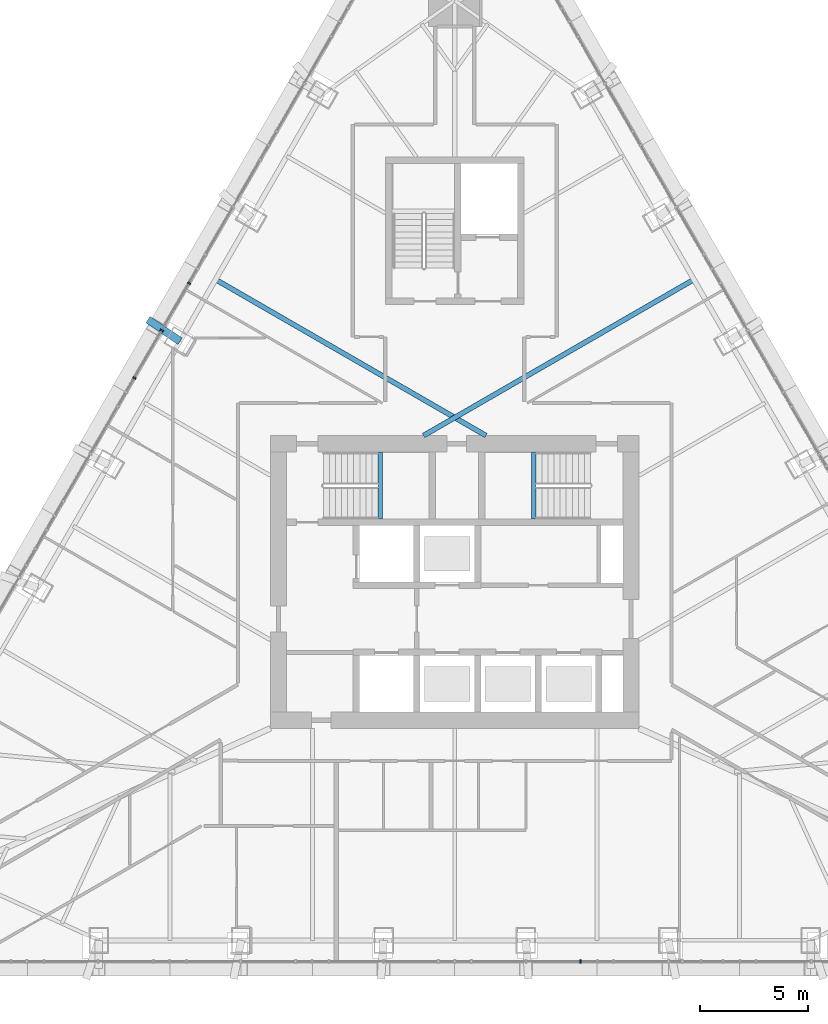
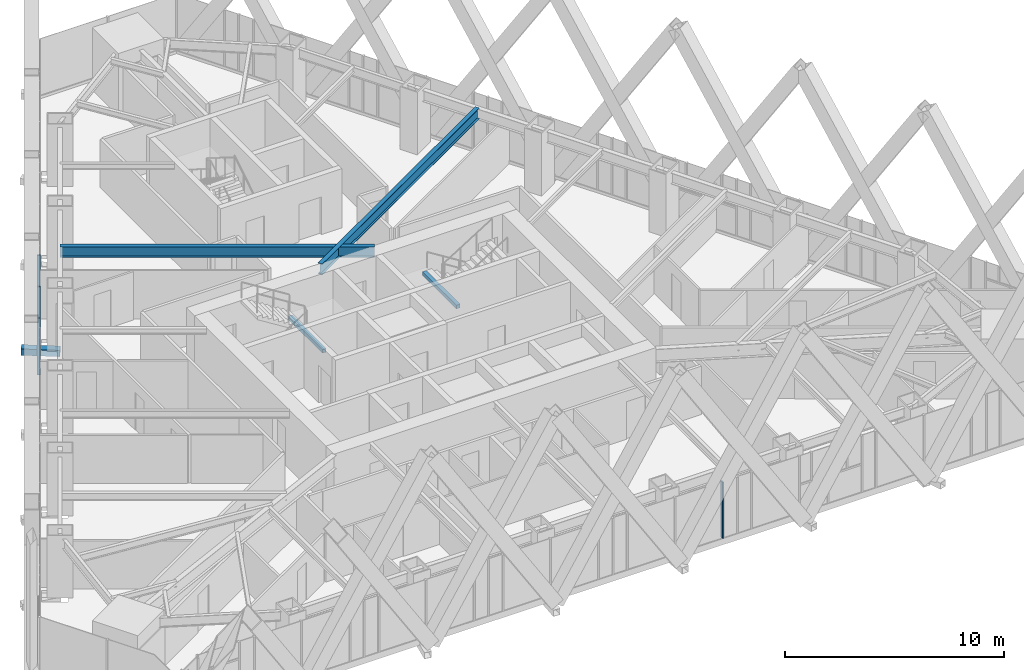
# One storey, part 7 of 25: 5 members, 4 beams, 2 elements without a shape of their own.
"""IFC4 building model written with IfcOpenShell, lengths in metres."""

from ifc_helpers import new_model, si_unit, direction, frame, origin, origin_2d, place, context, subcontext, project, spatial, rectangle, hollow_rectangle, i_section, extrude, material, layer, layer_set, material_profile, profile_set, type_object, element, aggregate, save


model = new_model("IFC4")

# Units and contexts
model_context = context("Model", 3, precision=1e-05, world=origin(), true_north=direction((0.0, 1.0)))
body_context = subcontext(model_context, "Body", "Model", "MODEL_VIEW")
ifc_project = project(units=[si_unit("LENGTHUNIT", "METRE"), si_unit("AREAUNIT", "SQUARE_METRE"), si_unit("VOLUMEUNIT", "CUBIC_METRE"), si_unit("PLANEANGLEUNIT", "RADIAN"), si_unit("MASSUNIT", "GRAM", prefix="KILO")], contexts=[model_context])

# Site, building, storey
site_placement = place(None, origin())
site = spatial("IfcSite", under=ifc_project, at=site_placement, CompositionType="ELEMENT")
building_placement = place(site_placement, origin())
building = spatial("IfcBuilding", under=site, at=building_placement, Name="Firuza Gate Tower and Library", CompositionType="ELEMENT")
storey_placement = place(building_placement, frame((0.0, 0.0, 270.60009765625)))
storey = spatial("IfcBuildingStorey", under=building, at=storey_placement, Name="L64", CompositionType="ELEMENT", Elevation=270.60009765625)

# Curtain wall, member
ifc_material_1 = material(Name="Aluminium 6063-T6", Category="aluminium")
ifc_layer = layer(ifc_material_1, 0.14990234375)
ifc_layer_set = layer_set([ifc_layer], Name="Unitised curtain wall, residences")
curtain_wall_type = type_object("IfcCurtainWallType", Name="Unitised curtain wall, residences", PredefinedType="NOTDEFINED", material=ifc_layer_set)
placement = place(storey_placement, origin())
curtain_wall_1 = element("IfcCurtainWall", 1, at=placement, inside=storey, type_object=curtain_wall_type, Name="CW3 L64 S face", PredefinedType="NOTDEFINED")
ifc_material_2 = material(Name="Aluminium 6063-T6", Category="aluminium")
ifc_material_profile_1 = material_profile(ifc_material_2, rectangle(XDim=0.14990234375, YDim=0.080078125, at=origin_2d()))
ifc_profile_set_1 = profile_set([ifc_material_profile_1], Name="Aluminium 6063-T6")
member_type_1 = type_object("IfcMemberType", Name="Curtain wall mullion 80x150", PredefinedType="MULLION", material=ifc_profile_set_1)
member_1_placement = place(storey_placement, frame((80.803955078125, 57.501220703125, 0.14990234375), z_axis=(0.0, 0.0, 1.0), x_axis=(0.0, 1.0, 0.0)))
member_1 = element("IfcMember", 2, at=member_1_placement, type_object=member_type_1, Name="Mullion", PredefinedType="MULLION", context=body_context, shape_type="SweptSolid", body=[
    extrude(rectangle(XDim=0.14990234375, YDim=0.080078125, at=origin_2d()), origin(), (0.0, 0.0, 1.0), 3.14990234375),
])
aggregate(curtain_wall_1, [member_1])

# Curtain wall, members
curtain_wall_2 = element("IfcCurtainWall", 3, at=placement, inside=storey, type_object=curtain_wall_type, Name="CW3 L64 W face", PredefinedType="NOTDEFINED")
member_2_placement = place(storey_placement, frame((61.490234375, 86.59765625, 0.14990234375), z_axis=(0.0, 0.0, 1.0), x_axis=(0.866025403784, -0.5, 0.0)))
member_2 = element("IfcMember", 4, at=member_2_placement, type_object=member_type_1, Name="Mullion", PredefinedType="MULLION", context=body_context, shape_type="SweptSolid", body=[
    extrude(rectangle(XDim=0.14990234375, YDim=0.080078125, at=origin_2d()), origin(), (0.0, 0.0, 1.0), 3.14990234375),
])
member_3_placement = place(storey_placement, frame((62.74755859375, 88.775634765625, 0.14990234375), z_axis=(0.0, 0.0, 1.0), x_axis=(0.866025403784, -0.5, 0.0)))
member_3 = element("IfcMember", 5, at=member_3_placement, type_object=member_type_1, Name="Mullion", PredefinedType="MULLION", context=body_context, shape_type="SweptSolid", body=[
    extrude(rectangle(XDim=0.14990234375, YDim=0.080078125, at=origin_2d()), origin(), (0.0, 0.0, 1.0), 3.14990234375),
])
member_4_placement = place(storey_placement, frame((60.2265625, 84.40869140625, 0.14990234375), z_axis=(0.0, 0.0, 1.0), x_axis=(0.866025403784, -0.5, 0.0)))
member_4 = element("IfcMember", 6, at=member_4_placement, type_object=member_type_1, Name="Mullion", PredefinedType="MULLION", context=body_context, shape_type="SweptSolid", body=[
    extrude(rectangle(XDim=0.14990234375, YDim=0.080078125, at=origin_2d()), origin(), (0.0, 0.0, 1.0), 3.14990234375),
])
aggregate(curtain_wall_2, [member_2, member_3, member_4])

# Member
ifc_material_3 = material(Name="Steel S355", Category="steel")
ifc_material_profile_2 = material_profile(ifc_material_3, hollow_rectangle(XDim=0.355712890625, YDim=0.355712890625, WallThickness=0.014892578125, at=origin_2d()))
ifc_profile_set_2 = profile_set([ifc_material_profile_2], Name="Steel S355")
member_type_2 = type_object("IfcMemberType", Name="HSS356x356x16 Lattice node tie", PredefinedType="BRACE", material=ifc_profile_set_2)
member_5_placement = place(storey_placement, frame((62.33154296875, 86.104736328125, -0.320068359375), z_axis=(-0.831162116647, 0.556030157321, 0.0), x_axis=(-0.556030157321, -0.831162116647, 0.0)))
element("IfcMember", 7, at=member_5_placement, inside=storey, type_object=member_type_2, Name="Lattice node tie W L64 421", PredefinedType="BRACE", context=body_context, shape_type="SweptSolid", body=[
    extrude(hollow_rectangle(XDim=0.355712890625, YDim=0.355712890625, WallThickness=0.014892578125, at=origin_2d()), origin(), (0.0, 0.0, 1.0), 1.7783203125),
])

# Beams
ifc_material_4 = material(Name="Concrete C35/45", Category="concrete")
ifc_material_profile_3 = material_profile(ifc_material_4, rectangle(XDim=0.199951171875, YDim=0.199951171875, at=origin_2d()))
ifc_profile_set_3 = profile_set([ifc_material_profile_3], Name="Concrete C35/45")
beam_type_1 = type_object("IfcBeamType", Name="Stair landing bearer 200x200", PredefinedType="BEAM", material=ifc_profile_set_3)
for number, where, z_axis, x_axis, name in (
    (8, (71.56005859375, 77.89990234375, 1.449951171875), (0.0, 1.0, 0.0), (-1.0, 0.0, 0.0), "Landing bearer L64 stair 1"),
    (9, (78.639892578125, 81.0, 1.449951171875), (0.0, -1.0, 0.0), (1.0, 0.0, 0.0), "Landing bearer L64 stair 2"),
):
    element("IfcBeam", number, at=place(storey_placement, frame(where, z_axis=z_axis, x_axis=x_axis)), inside=storey, type_object=beam_type_1, Name=name, PredefinedType="BEAM", context=body_context, shape_type="SweptSolid", body=[
        extrude(rectangle(XDim=0.199951171875, YDim=0.199951171875, at=origin_2d()), origin(), (0.0, 0.0, 1.0), 3.10009765625),
    ])
ifc_material_5 = material(Name="Steel S355", Category="steel")
ifc_material_profile_4 = material_profile(ifc_material_5, i_section(OverallWidth=0.22802734375, OverallDepth=0.60302734375, WebThickness=0.010498046875, FlangeThickness=0.014892578125, at=origin_2d()))
ifc_profile_set_4 = profile_set([ifc_material_profile_4], Name="Steel S355")
beam_type_2 = type_object("IfcBeamType", Name="W610x101 Floor beam", PredefinedType="JOIST", material=ifc_profile_set_4)
for number, where, z_axis, x_axis, name in (
    (10, (86.02734375, 88.947509765625, 2.998291015625), (-0.866027142779, -0.499996987961, 0.0), (0.499996987961, -0.866027142779, 0.0), "Floor beam L64 s53"),
    (11, (63.97265625, 88.947509765625, 2.998291015625), (0.866027142779, -0.499996987961, 0.0), (0.499996987961, 0.866027142779, 0.0), "Floor beam L64 s81"),
):
    element("IfcBeam", number, at=place(storey_placement, frame(where, z_axis=z_axis, x_axis=x_axis)), inside=storey, type_object=beam_type_2, Name=name, PredefinedType="JOIST", context=body_context, shape_type="SweptSolid", body=[
        extrude(i_section(OverallWidth=0.22802734375, OverallDepth=0.60302734375, WebThickness=0.010498046875, FlangeThickness=0.014892578125, at=origin_2d()), origin(), (0.0, 0.0, 1.0), 14.39501953125),
    ])

save(model, "model.ifc")
